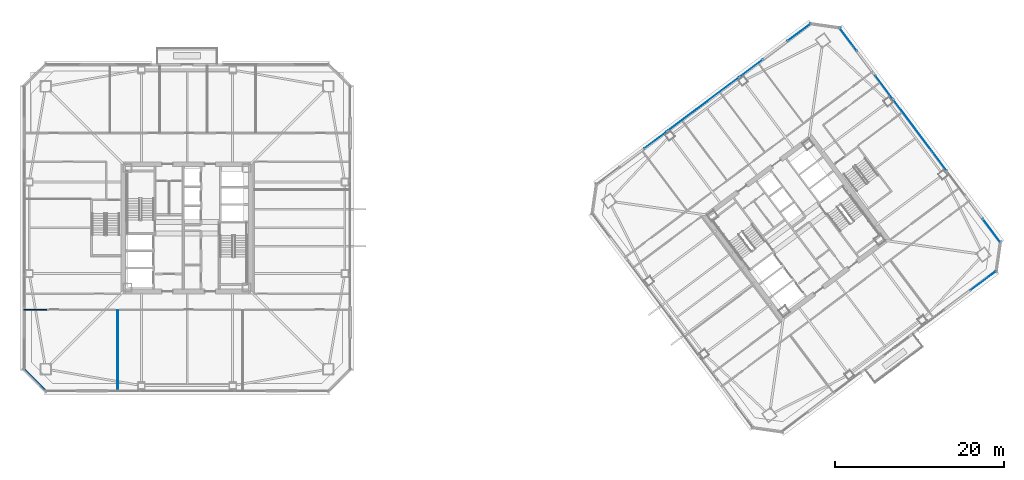
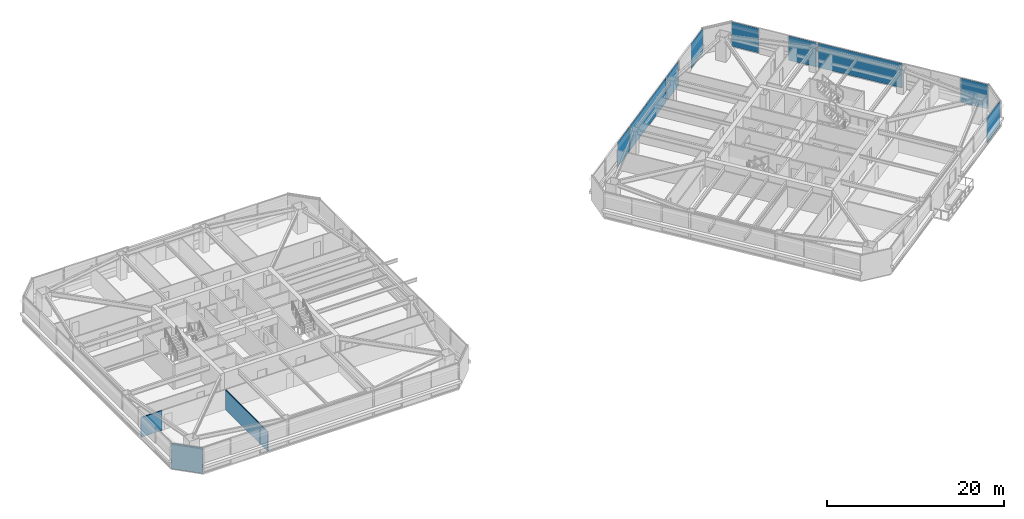
# One storey, part 35 of 46: 9 plates, 3 walls, 9 elements without a shape of their own.
"""IFC4 building model written with IfcOpenShell, lengths in metres."""

from ifc_helpers import new_model, si_unit, direction, frame, frame_2d, origin, origin_2d, place, context, subcontext, project, spatial, rectangle, extrude, material, layer, layer_set, type_object, element, aggregate, save


model = new_model("IFC4")

# Units and contexts
model_context = context("Model", 3, precision=1e-05, world=origin(), true_north=direction((0.0, 1.0)))
body_context = subcontext(model_context, "Body", "Model", "MODEL_VIEW")
ifc_project = project(units=[si_unit("LENGTHUNIT", "METRE"), si_unit("AREAUNIT", "SQUARE_METRE"), si_unit("VOLUMEUNIT", "CUBIC_METRE"), si_unit("PLANEANGLEUNIT", "RADIAN"), si_unit("MASSUNIT", "GRAM", prefix="KILO")], contexts=[model_context])

# Site, building, storey
site_placement = place(None, origin())
site = spatial("IfcSite", under=ifc_project, at=site_placement, CompositionType="ELEMENT")
building_placement = place(site_placement, origin())
building = spatial("IfcBuilding", under=site, at=building_placement, Name="Tashvorn Skyway Center", CompositionType="ELEMENT")
storey_placement = place(building_placement, frame((0.0, 0.0, 139.25)))
storey = spatial("IfcBuildingStorey", under=building, at=storey_placement, Name="L37", CompositionType="ELEMENT", Elevation=139.25)

# Curtain wall, plate
ifc_material_1 = material(Name="Thermally broken bronze-anodized aluminium 6063-T6", Category="aluminium")
curtain_wall_type = type_object("IfcCurtainWallType", Name="CW-CW-Z3", PredefinedType="NOTDEFINED", material=ifc_material_1)
curtain_wall_1_placement = place(storey_placement, origin())
curtain_wall_1 = element("IfcCurtainWall", 1, at=curtain_wall_1_placement, inside=storey, type_object=curtain_wall_type, Name="Tower 2 L37 South Curtain Wall L Glazing Group 1", PredefinedType="NOTDEFINED")
ifc_material_2 = material(Name="Low-E solar-control double insulating safety glass", Category="glass")
ifc_layer_1 = layer(ifc_material_2, 0.0400390625)
ifc_layer_set_1 = layer_set([ifc_layer_1], Name="Low-E solar-control double insulating safety glass")
plate_type = type_object("IfcPlateType", Name="CWP-CW-Z3", PredefinedType="CURTAIN_PANEL", material=ifc_layer_set_1)
plate_1_placement = place(storey_placement, frame((136.121337890625, 25.740966796875, 0.074951171875), z_axis=(0.0, 0.0, 1.0), x_axis=(-0.799996904524, -0.600004127279, 0.0)))
plate_1 = element("IfcPlate", 2, at=plate_1_placement, type_object=plate_type, Name="CW-Z3 panel 1.1", PredefinedType="CURTAIN_PANEL", context=body_context, shape_type="SweptSolid", body=[
    extrude(rectangle(XDim=3.7265625, YDim=0.0400390625, at=origin_2d()), origin(), (0.0, 0.0, 1.0), 3.39990234375),
])
aggregate(curtain_wall_1, [plate_1])

curtain_wall_2_placement = place(storey_placement, origin())
curtain_wall_2 = element("IfcCurtainWall", 3, at=curtain_wall_2_placement, inside=storey, type_object=curtain_wall_type, Name="Tower 2 L37 North Unitised Curtain Wall Glazing Group 2", PredefinedType="NOTDEFINED")
plate_2_placement = place(storey_placement, frame((97.3857421875, 42.389404296875, 0.074951171875), z_axis=(0.0, 0.0, 1.0), x_axis=(0.800003400519, 0.599995465948, 0.0)))
plate_2 = element("IfcPlate", 4, at=plate_2_placement, type_object=plate_type, Name="CW-Z3 panel 1.1", PredefinedType="CURTAIN_PANEL", context=body_context, shape_type="SweptSolid", body=[
    extrude(rectangle(XDim=3.37890625, YDim=0.0400390625, at=origin_2d()), origin(), (0.0, 0.0, 1.0), 3.39990234375),
])
aggregate(curtain_wall_2, [plate_2])

curtain_wall_3_placement = place(storey_placement, origin())
curtain_wall_3 = element("IfcCurtainWall", 5, at=curtain_wall_3_placement, inside=storey, type_object=curtain_wall_type, Name="Tower 2 L37 North Unitised Curtain Wall Glazing Group 3", PredefinedType="NOTDEFINED")
plate_3_placement = place(storey_placement, frame((103.031982421875, 46.6240234375, 0.074951171875), z_axis=(0.0, 0.0, 1.0), x_axis=(0.800002266987, 0.599996977339, 0.0)))
plate_3 = element("IfcPlate", 6, at=plate_3_placement, type_object=plate_type, Name="CW-Z3 panel 1.1", PredefinedType="CURTAIN_PANEL", context=body_context, shape_type="SweptSolid", body=[
    extrude(rectangle(XDim=10.436767578125, YDim=0.0400390625, at=origin_2d()), origin(), (0.0, 0.0, 1.0), 3.39990234375),
])
aggregate(curtain_wall_3, [plate_3])

curtain_wall_4_placement = place(storey_placement, origin())
curtain_wall_4 = element("IfcCurtainWall", 7, at=curtain_wall_4_placement, inside=storey, type_object=curtain_wall_type, Name="Tower 2 L37 North Unitised Curtain Wall Glazing Group 4", PredefinedType="NOTDEFINED")
plate_4_placement = place(storey_placement, frame((108.67822265625, 50.858642578125, 0.074951171875), z_axis=(0.0, 0.0, 1.0), x_axis=(0.800003400519, 0.599995465948, 0.0)))
plate_4 = element("IfcPlate", 8, at=plate_4_placement, type_object=plate_type, Name="CW-Z3 panel 1.1", PredefinedType="CURTAIN_PANEL", context=body_context, shape_type="SweptSolid", body=[
    extrude(rectangle(XDim=3.37890625, YDim=0.0400390625, at=origin_2d()), origin(), (0.0, 0.0, 1.0), 3.39990234375),
])
aggregate(curtain_wall_4, [plate_4])

curtain_wall_5_placement = place(storey_placement, origin())
curtain_wall_5 = element("IfcCurtainWall", 9, at=curtain_wall_5_placement, inside=storey, type_object=curtain_wall_type, Name="Tower 2 L37 North Unitised Curtain Wall Glazing Group 5", PredefinedType="NOTDEFINED")
plate_5_placement = place(storey_placement, frame((114.324462890625, 55.09326171875, 0.074951171875), z_axis=(0.0, 0.0, 1.0), x_axis=(0.800003400519, 0.599995465948, 0.0)))
plate_5 = element("IfcPlate", 10, at=plate_5_placement, type_object=plate_type, Name="CW-Z3 panel 1.1", PredefinedType="CURTAIN_PANEL", context=body_context, shape_type="SweptSolid", body=[
    extrude(rectangle(XDim=3.37890625, YDim=0.0400390625, at=origin_2d()), origin(), (0.0, 0.0, 1.0), 3.39990234375),
])
aggregate(curtain_wall_5, [plate_5])

curtain_wall_6_placement = place(storey_placement, origin())
curtain_wall_6 = element("IfcCurtainWall", 11, at=curtain_wall_6_placement, inside=storey, type_object=curtain_wall_type, Name="Tower 2 L37 East Unitised Curtain Wall Glazing Group 1", PredefinedType="NOTDEFINED")
plate_6_placement = place(storey_placement, frame((120.154541015625, 54.260498046875, 0.074951171875), z_axis=(0.0, 0.0, 1.0), x_axis=(0.599995465948, -0.800003400519, 0.0)))
plate_6 = element("IfcPlate", 12, at=plate_6_placement, type_object=plate_type, Name="CW-Z3 panel 1.1", PredefinedType="CURTAIN_PANEL", context=body_context, shape_type="SweptSolid", body=[
    extrude(rectangle(XDim=3.37890625, YDim=0.0400390625, at=origin_2d()), origin(), (0.0, 0.0, 1.0), 3.39990234375),
])
aggregate(curtain_wall_6, [plate_6])

curtain_wall_7_placement = place(storey_placement, origin())
curtain_wall_7 = element("IfcCurtainWall", 13, at=curtain_wall_7_placement, inside=storey, type_object=curtain_wall_type, Name="Tower 2 L37 East Unitised Curtain Wall Glazing Group 2", PredefinedType="NOTDEFINED")
plate_7_placement = place(storey_placement, frame((124.389404296875, 48.6142578125, 0.074951171875), z_axis=(0.0, 0.0, 1.0), x_axis=(0.599995465948, -0.800003400519, 0.0)))
plate_7 = element("IfcPlate", 14, at=plate_7_placement, type_object=plate_type, Name="CW-Z3 panel 1.1", PredefinedType="CURTAIN_PANEL", context=body_context, shape_type="SweptSolid", body=[
    extrude(rectangle(XDim=3.37890625, YDim=0.0400390625, at=origin_2d()), origin(), (0.0, 0.0, 1.0), 3.39990234375),
])
aggregate(curtain_wall_7, [plate_7])

curtain_wall_8_placement = place(storey_placement, origin())
curtain_wall_8 = element("IfcCurtainWall", 15, at=curtain_wall_8_placement, inside=storey, type_object=curtain_wall_type, Name="Tower 2 L37 East Unitised Curtain Wall Glazing Group 3", PredefinedType="NOTDEFINED")
plate_8_placement = place(storey_placement, frame((128.6240234375, 42.968017578125, 0.074951171875), z_axis=(0.0, 0.0, 1.0), x_axis=(0.599996977339, -0.800002266987, 0.0)))
plate_8 = element("IfcPlate", 16, at=plate_8_placement, type_object=plate_type, Name="CW-Z3 panel 1.1", PredefinedType="CURTAIN_PANEL", context=body_context, shape_type="SweptSolid", body=[
    extrude(rectangle(XDim=10.436767578125, YDim=0.0400390625, at=origin_2d()), origin(), (0.0, 0.0, 1.0), 3.39990234375),
])
aggregate(curtain_wall_8, [plate_8])

curtain_wall_9_placement = place(storey_placement, origin())
curtain_wall_9 = element("IfcCurtainWall", 17, at=curtain_wall_9_placement, inside=storey, type_object=curtain_wall_type, Name="Tower 2 L37 East Unitised Curtain Wall Glazing Group 5", PredefinedType="NOTDEFINED")
plate_9_placement = place(storey_placement, frame((137.09326171875, 31.675537109375, 0.074951171875), z_axis=(0.0, 0.0, 1.0), x_axis=(0.599995465948, -0.800003400519, 0.0)))
plate_9 = element("IfcPlate", 18, at=plate_9_placement, type_object=plate_type, Name="CW-Z3 panel 1.1", PredefinedType="CURTAIN_PANEL", context=body_context, shape_type="SweptSolid", body=[
    extrude(rectangle(XDim=3.37890625, YDim=0.0400390625, at=origin_2d()), origin(), (0.0, 0.0, 1.0), 3.39990234375),
])
aggregate(curtain_wall_9, [plate_9])

# Walls
ifc_material_3 = material(Name="Precast concrete C40/50", Category="concrete")
ifc_layer_2 = layer(ifc_material_3, 0.280029296875)
ifc_layer_set_2 = layer_set([ifc_layer_2], Name="Precast concrete C40/50")
wall_type_1 = type_object("IfcWallType", Name="WALL-EXT-280", PredefinedType="SOLIDWALL", material=ifc_layer_set_2)
wall_1_placement = place(storey_placement, frame((25.300048828125, 12.699951171875, 0.0), z_axis=(0.0, 0.0, 1.0), x_axis=(-0.707106781187, 0.707106781187, 0.0)))
element("IfcWall", 19, at=wall_1_placement, inside=storey, type_object=wall_type_1, Name="Tower 1 L37 SW Precast Chamfer Wall", PredefinedType="SOLIDWALL", context=body_context, shape_type="SweptSolid", body=[
    extrude(rectangle(XDim=3.677001953125, YDim=0.280029296875, at=frame_2d((1.83837890625, 0.0))), origin(), (0.0, 0.0, 1.0), 3.3701171875),
])
ifc_material_4 = material(Name="Gypsum board on cold-formed steel stud framing", Category="steel")
ifc_layer_3 = layer(ifc_material_4, 0.110107421875)
ifc_layer_set_3 = layer_set([ifc_layer_3], Name="Gypsum board on cold-formed steel stud framing")
wall_type_2 = type_object("IfcWallType", Name="WALL-PART-110", PredefinedType="PARTITIONING", material=ifc_layer_set_3)
wall_2_placement = place(storey_placement, frame((33.800048828125, 12.719970703125, 0.0), z_axis=(0.0, 0.0, 1.0), x_axis=(0.0, 1.0, 0.0)))
element("IfcWall", 20, at=wall_2_placement, inside=storey, type_object=wall_type_2, Name="Tower 1 L37 South Suite Partition 1", PredefinedType="PARTITIONING", context=body_context, shape_type="SweptSolid", body=[
    extrude(rectangle(XDim=9.530029296875, YDim=0.110107421875, at=frame_2d((4.76513671875, 0.0))), origin(), (0.0, 0.0, 1.0), 2.722900390625),
])
ifc_layer_4 = layer(ifc_material_4, 0.135009765625)
ifc_layer_set_4 = layer_set([ifc_layer_4], Name="Gypsum board on cold-formed steel stud framing")
wall_type_3 = type_object("IfcWallType", Name="WALL-PART-135", PredefinedType="PARTITIONING", material=ifc_layer_set_4)
wall_3_placement = place(storey_placement, frame((22.719970703125, 22.330078125, 0.0), z_axis=(0.0, 0.0, 1.0), x_axis=(1.0, 0.0, 0.0)))
element("IfcWall", 21, at=wall_3_placement, inside=storey, type_object=wall_type_3, Name="Tower 1 L37 South-West Suite North Wall", PredefinedType="PARTITIONING", context=body_context, shape_type="SweptSolid", body=[
    extrude(rectangle(XDim=2.72998046875, YDim=0.135009765625, at=frame_2d((1.364990234375, 0.0))), origin(), (0.0, 0.0, 1.0), 2.722900390625),
])

save(model, "model.ifc")
